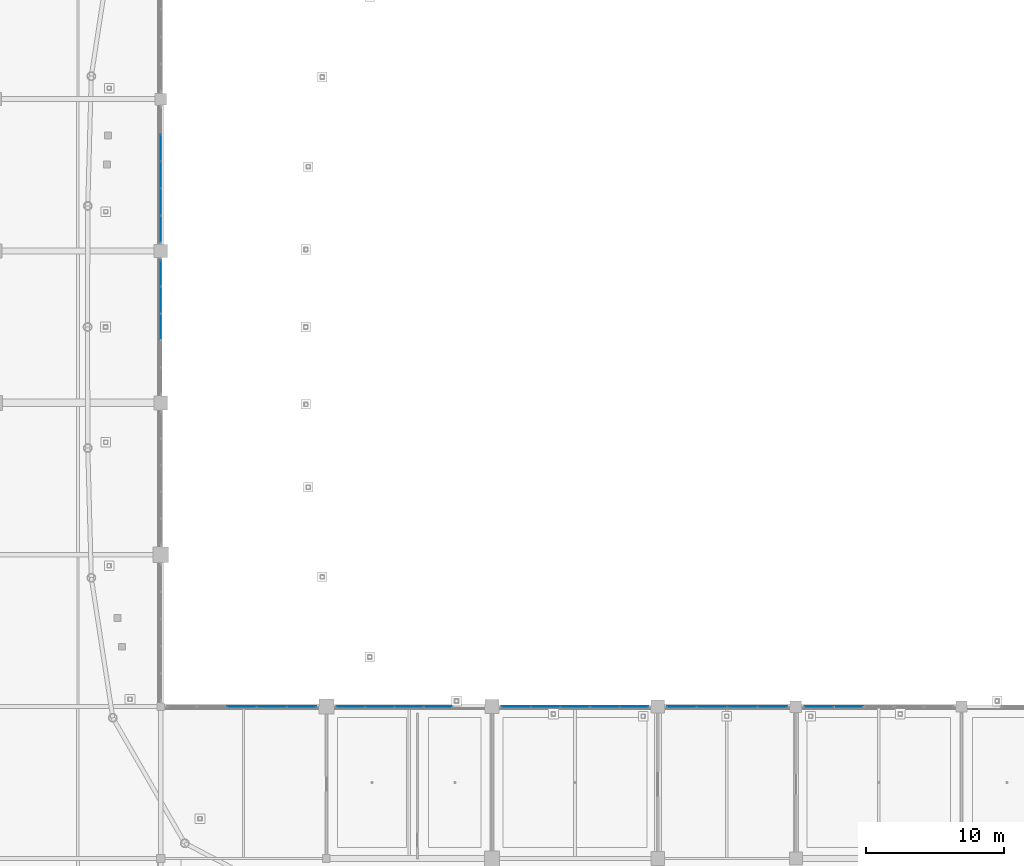
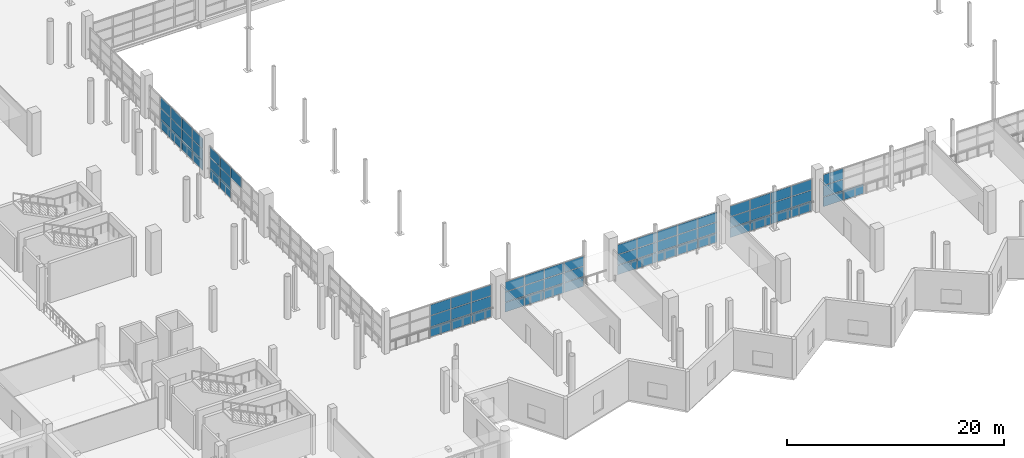
# One storey, part 75 of 143: 71 plates, 7 elements without a shape of their own.
"""IFC4 building model written with IfcOpenShell, lengths in metres."""

from ifc_helpers import new_model, si_unit, direction, frame, origin, origin_2d, place, context, subcontext, project, spatial, rectangle, extrude, material, layer, layer_set, type_object, element, aggregate, save


model = new_model("IFC4")

# Units and contexts
model_context = context("Model", 3, precision=1e-05, world=origin(), true_north=direction((0.0, 1.0)))
body_context = subcontext(model_context, "Body", "Model", "MODEL_VIEW")
ifc_project = project(units=[si_unit("LENGTHUNIT", "METRE"), si_unit("AREAUNIT", "SQUARE_METRE"), si_unit("VOLUMEUNIT", "CUBIC_METRE"), si_unit("PLANEANGLEUNIT", "RADIAN"), si_unit("MASSUNIT", "GRAM", prefix="KILO")], contexts=[model_context])

# Site, building, storey
site_placement = place(None, origin())
site = spatial("IfcSite", under=ifc_project, at=site_placement, CompositionType="ELEMENT")
building_placement = place(site_placement, origin())
building = spatial("IfcBuilding", under=site, at=building_placement, Name="Luwafu Chhajja Arena", CompositionType="ELEMENT")
storey_placement = place(building_placement, frame((0.0, 0.0, 5.39990234375)))
storey = spatial("IfcBuildingStorey", under=building, at=storey_placement, Name="L01", CompositionType="ELEMENT", Elevation=5.39990234375)

# Curtain wall, plates
ifc_material_1 = material(Name="Anodised bronze aluminium", Category="aluminium")
curtain_wall_type = type_object("IfcCurtainWallType", Name="Bowl Concourse Chord Curtain Wall", PredefinedType="USERDEFINED", material=ifc_material_1)
curtain_wall_1_placement = place(storey_placement, origin())
curtain_wall_1 = element("IfcCurtainWall", 1, at=curtain_wall_1_placement, inside=storey, type_object=curtain_wall_type, Name="L01 Bowl Viewing Curtain Wall CWR-L01-01", ObjectType="CURTAIN WALL", PredefinedType="USERDEFINED")
ifc_material_2 = material(Name="Solar-control laminated glass", Category="glass")
ifc_layer = layer(ifc_material_2, 0.028076171875, Name="Solar-control laminated glass")
ifc_layer_set = layer_set([ifc_layer], Name="Solar-control laminated glass")
plate_type = type_object("IfcPlateType", Name="Solar Control Double Glazed CW Panel 28", PredefinedType="CURTAIN_PANEL", material=ifc_layer_set)
plate_1_placement = place(storey_placement, frame((63.862548828125, 22.0, 0.06005859375), z_axis=(0.0, 0.0, 1.0), x_axis=(1.0, 0.0, 0.0)))
plate_1 = element("IfcPlate", 2, at=plate_1_placement, type_object=plate_type, Name="CW-01 panel 3.1", PredefinedType="CURTAIN_PANEL", context=body_context, shape_type="SweptSolid", body=[
    extrude(rectangle(XDim=2.118896484375, YDim=0.028076171875, at=origin_2d()), origin(), (0.0, 0.0, 1.0), 1.06005859375),
])
plate_2_placement = place(storey_placement, frame((63.862548828125, 22.0, 1.18017578125), z_axis=(0.0, 0.0, 1.0), x_axis=(1.0, 0.0, 0.0)))
plate_2 = element("IfcPlate", 3, at=plate_2_placement, type_object=plate_type, Name="CW-01 panel 3.2", PredefinedType="CURTAIN_PANEL", context=body_context, shape_type="SweptSolid", body=[
    extrude(rectangle(XDim=2.118896484375, YDim=0.028076171875, at=origin_2d()), origin(), (0.0, 0.0, 1.0), 1.21826171875),
])
plate_3_placement = place(storey_placement, frame((63.862548828125, 22.0, 2.45849609375), z_axis=(0.0, 0.0, 1.0), x_axis=(1.0, 0.0, 0.0)))
plate_3 = element("IfcPlate", 4, at=plate_3_placement, type_object=plate_type, Name="CW-01 panel 3.3", PredefinedType="CURTAIN_PANEL", context=body_context, shape_type="SweptSolid", body=[
    extrude(rectangle(XDim=2.118896484375, YDim=0.028076171875, at=origin_2d()), origin(), (0.0, 0.0, 1.0), 1.188232421875),
])
plate_4_placement = place(storey_placement, frame((66.04150390625, 22.0, 0.06005859375), z_axis=(0.0, 0.0, 1.0), x_axis=(1.0, 0.0, 0.0)))
plate_4 = element("IfcPlate", 5, at=plate_4_placement, type_object=plate_type, Name="CW-01 panel 4.1", PredefinedType="CURTAIN_PANEL", context=body_context, shape_type="SweptSolid", body=[
    extrude(rectangle(XDim=2.118896484375, YDim=0.028076171875, at=origin_2d()), origin(), (0.0, 0.0, 1.0), 1.06005859375),
])
plate_5_placement = place(storey_placement, frame((66.04150390625, 22.0, 1.18017578125), z_axis=(0.0, 0.0, 1.0), x_axis=(1.0, 0.0, 0.0)))
plate_5 = element("IfcPlate", 6, at=plate_5_placement, type_object=plate_type, Name="CW-01 panel 4.2", PredefinedType="CURTAIN_PANEL", context=body_context, shape_type="SweptSolid", body=[
    extrude(rectangle(XDim=2.118896484375, YDim=0.028076171875, at=origin_2d()), origin(), (0.0, 0.0, 1.0), 1.21826171875),
])
plate_6_placement = place(storey_placement, frame((66.04150390625, 22.0, 2.45849609375), z_axis=(0.0, 0.0, 1.0), x_axis=(1.0, 0.0, 0.0)))
plate_6 = element("IfcPlate", 7, at=plate_6_placement, type_object=plate_type, Name="CW-01 panel 4.3", PredefinedType="CURTAIN_PANEL", context=body_context, shape_type="SweptSolid", body=[
    extrude(rectangle(XDim=2.118896484375, YDim=0.028076171875, at=origin_2d()), origin(), (0.0, 0.0, 1.0), 1.188232421875),
])
plate_7_placement = place(storey_placement, frame((68.20556640625, 22.0, 0.06005859375), z_axis=(0.0, 0.0, 1.0), x_axis=(1.0, 0.0, 0.0)))
plate_7 = element("IfcPlate", 8, at=plate_7_placement, type_object=plate_type, Name="CW-01 panel 5.1", PredefinedType="CURTAIN_PANEL", context=body_context, shape_type="SweptSolid", body=[
    extrude(rectangle(XDim=2.089111328125, YDim=0.028076171875, at=origin_2d()), origin(), (0.0, 0.0, 1.0), 1.06005859375),
])
plate_8_placement = place(storey_placement, frame((68.20556640625, 22.0, 1.18017578125), z_axis=(0.0, 0.0, 1.0), x_axis=(1.0, 0.0, 0.0)))
plate_8 = element("IfcPlate", 9, at=plate_8_placement, type_object=plate_type, Name="CW-01 panel 5.2", PredefinedType="CURTAIN_PANEL", context=body_context, shape_type="SweptSolid", body=[
    extrude(rectangle(XDim=2.089111328125, YDim=0.028076171875, at=origin_2d()), origin(), (0.0, 0.0, 1.0), 1.21826171875),
])
plate_9_placement = place(storey_placement, frame((68.20556640625, 22.0, 2.45849609375), z_axis=(0.0, 0.0, 1.0), x_axis=(1.0, 0.0, 0.0)))
plate_9 = element("IfcPlate", 10, at=plate_9_placement, type_object=plate_type, Name="CW-01 panel 5.3", PredefinedType="CURTAIN_PANEL", context=body_context, shape_type="SweptSolid", body=[
    extrude(rectangle(XDim=2.089111328125, YDim=0.028076171875, at=origin_2d()), origin(), (0.0, 0.0, 1.0), 1.188232421875),
])
aggregate(curtain_wall_1, [plate_1, plate_2, plate_3, plate_4, plate_5, plate_6, plate_7, plate_8, plate_9])

curtain_wall_2_placement = place(storey_placement, origin())
curtain_wall_2 = element("IfcCurtainWall", 11, at=curtain_wall_2_placement, inside=storey, type_object=curtain_wall_type, Name="L01 Bowl Viewing Curtain Wall CWR-L01-02", ObjectType="CURTAIN WALL", PredefinedType="USERDEFINED")
plate_10_placement = place(storey_placement, frame((71.760498046875, 22.0, 0.06005859375), z_axis=(0.0, 0.0, 1.0), x_axis=(1.0, 0.0, 0.0)))
plate_10 = element("IfcPlate", 12, at=plate_10_placement, type_object=plate_type, Name="CW-01 panel 1.1", PredefinedType="CURTAIN_PANEL", context=body_context, shape_type="SweptSolid", body=[
    extrude(rectangle(XDim=2.020751953125, YDim=0.028076171875, at=origin_2d()), origin(), (0.0, 0.0, 1.0), 1.06005859375),
])
plate_11_placement = place(storey_placement, frame((71.760498046875, 22.0, 1.18017578125), z_axis=(0.0, 0.0, 1.0), x_axis=(1.0, 0.0, 0.0)))
plate_11 = element("IfcPlate", 13, at=plate_11_placement, type_object=plate_type, Name="CW-01 panel 1.2", PredefinedType="CURTAIN_PANEL", context=body_context, shape_type="SweptSolid", body=[
    extrude(rectangle(XDim=2.020751953125, YDim=0.028076171875, at=origin_2d()), origin(), (0.0, 0.0, 1.0), 1.110107421875),
])
plate_12_placement = place(storey_placement, frame((71.760498046875, 22.0, 2.35009765625), z_axis=(0.0, 0.0, 1.0), x_axis=(1.0, 0.0, 0.0)))
plate_12 = element("IfcPlate", 14, at=plate_12_placement, type_object=plate_type, Name="CW-01 panel 1.3", PredefinedType="CURTAIN_PANEL", context=body_context, shape_type="SweptSolid", body=[
    extrude(rectangle(XDim=2.020751953125, YDim=0.028076171875, at=origin_2d()), origin(), (0.0, 0.0, 1.0), 1.080078125),
])
plate_13_placement = place(storey_placement, frame((73.856201171875, 22.0, 0.06005859375), z_axis=(0.0, 0.0, 1.0), x_axis=(1.0, 0.0, 0.0)))
plate_13 = element("IfcPlate", 15, at=plate_13_placement, type_object=plate_type, Name="CW-01 panel 2.1", PredefinedType="CURTAIN_PANEL", context=body_context, shape_type="SweptSolid", body=[
    extrude(rectangle(XDim=2.05078125, YDim=0.028076171875, at=origin_2d()), origin(), (0.0, 0.0, 1.0), 1.06005859375),
])
plate_14_placement = place(storey_placement, frame((73.856201171875, 22.0, 1.18017578125), z_axis=(0.0, 0.0, 1.0), x_axis=(1.0, 0.0, 0.0)))
plate_14 = element("IfcPlate", 16, at=plate_14_placement, type_object=plate_type, Name="CW-01 panel 2.2", PredefinedType="CURTAIN_PANEL", context=body_context, shape_type="SweptSolid", body=[
    extrude(rectangle(XDim=2.05078125, YDim=0.028076171875, at=origin_2d()), origin(), (0.0, 0.0, 1.0), 1.110107421875),
])
plate_15_placement = place(storey_placement, frame((73.856201171875, 22.0, 2.35009765625), z_axis=(0.0, 0.0, 1.0), x_axis=(1.0, 0.0, 0.0)))
plate_15 = element("IfcPlate", 17, at=plate_15_placement, type_object=plate_type, Name="CW-01 panel 2.3", PredefinedType="CURTAIN_PANEL", context=body_context, shape_type="SweptSolid", body=[
    extrude(rectangle(XDim=2.05078125, YDim=0.028076171875, at=origin_2d()), origin(), (0.0, 0.0, 1.0), 1.080078125),
])
plate_16_placement = place(storey_placement, frame((75.967041015625, 22.0, 0.06005859375), z_axis=(0.0, 0.0, 1.0), x_axis=(1.0, 0.0, 0.0)))
plate_16 = element("IfcPlate", 18, at=plate_16_placement, type_object=plate_type, Name="CW-01 panel 3.1", PredefinedType="CURTAIN_PANEL", context=body_context, shape_type="SweptSolid", body=[
    extrude(rectangle(XDim=2.05078125, YDim=0.028076171875, at=origin_2d()), origin(), (0.0, 0.0, 1.0), 1.06005859375),
])
plate_17_placement = place(storey_placement, frame((75.967041015625, 22.0, 1.18017578125), z_axis=(0.0, 0.0, 1.0), x_axis=(1.0, 0.0, 0.0)))
plate_17 = element("IfcPlate", 19, at=plate_17_placement, type_object=plate_type, Name="CW-01 panel 3.2", PredefinedType="CURTAIN_PANEL", context=body_context, shape_type="SweptSolid", body=[
    extrude(rectangle(XDim=2.05078125, YDim=0.028076171875, at=origin_2d()), origin(), (0.0, 0.0, 1.0), 1.110107421875),
])
plate_18_placement = place(storey_placement, frame((75.967041015625, 22.0, 2.35009765625), z_axis=(0.0, 0.0, 1.0), x_axis=(1.0, 0.0, 0.0)))
plate_18 = element("IfcPlate", 20, at=plate_18_placement, type_object=plate_type, Name="CW-01 panel 3.3", PredefinedType="CURTAIN_PANEL", context=body_context, shape_type="SweptSolid", body=[
    extrude(rectangle(XDim=2.05078125, YDim=0.028076171875, at=origin_2d()), origin(), (0.0, 0.0, 1.0), 1.080078125),
])
plate_19_placement = place(storey_placement, frame((78.06298828125, 22.0, 0.06005859375), z_axis=(0.0, 0.0, 1.0), x_axis=(1.0, 0.0, 0.0)))
plate_19 = element("IfcPlate", 21, at=plate_19_placement, type_object=plate_type, Name="CW-01 panel 4.1", PredefinedType="CURTAIN_PANEL", context=body_context, shape_type="SweptSolid", body=[
    extrude(rectangle(XDim=2.020751953125, YDim=0.028076171875, at=origin_2d()), origin(), (0.0, 0.0, 1.0), 1.06005859375),
])
plate_20_placement = place(storey_placement, frame((78.06298828125, 22.0, 1.18017578125), z_axis=(0.0, 0.0, 1.0), x_axis=(1.0, 0.0, 0.0)))
plate_20 = element("IfcPlate", 22, at=plate_20_placement, type_object=plate_type, Name="CW-01 panel 4.2", PredefinedType="CURTAIN_PANEL", context=body_context, shape_type="SweptSolid", body=[
    extrude(rectangle(XDim=2.020751953125, YDim=0.028076171875, at=origin_2d()), origin(), (0.0, 0.0, 1.0), 1.110107421875),
])
plate_21_placement = place(storey_placement, frame((78.06298828125, 22.0, 2.35009765625), z_axis=(0.0, 0.0, 1.0), x_axis=(1.0, 0.0, 0.0)))
plate_21 = element("IfcPlate", 23, at=plate_21_placement, type_object=plate_type, Name="CW-01 panel 4.3", PredefinedType="CURTAIN_PANEL", context=body_context, shape_type="SweptSolid", body=[
    extrude(rectangle(XDim=2.020751953125, YDim=0.028076171875, at=origin_2d()), origin(), (0.0, 0.0, 1.0), 1.080078125),
])
aggregate(curtain_wall_2, [plate_10, plate_11, plate_12, plate_13, plate_14, plate_15, plate_16, plate_17, plate_18, plate_19, plate_20, plate_21])

curtain_wall_3_placement = place(storey_placement, origin())
curtain_wall_3 = element("IfcCurtainWall", 24, at=curtain_wall_3_placement, inside=storey, type_object=curtain_wall_type, Name="L01 Bowl Viewing Curtain Wall CWR-L01-03", ObjectType="CURTAIN WALL", PredefinedType="USERDEFINED")
plate_22_placement = place(storey_placement, frame((83.7294921875, 22.0, 0.06005859375), z_axis=(0.0, 0.0, 1.0), x_axis=(1.0, 0.0, 0.0)))
plate_22 = element("IfcPlate", 25, at=plate_22_placement, type_object=plate_type, Name="CW-01 panel 1.1", PredefinedType="CURTAIN_PANEL", context=body_context, shape_type="SweptSolid", body=[
    extrude(rectangle(XDim=2.05908203125, YDim=0.028076171875, at=origin_2d()), origin(), (0.0, 0.0, 1.0), 1.06005859375),
])
plate_23_placement = place(storey_placement, frame((83.7294921875, 22.0, 1.18017578125), z_axis=(0.0, 0.0, 1.0), x_axis=(1.0, 0.0, 0.0)))
plate_23 = element("IfcPlate", 26, at=plate_23_placement, type_object=plate_type, Name="CW-01 panel 1.2", PredefinedType="CURTAIN_PANEL", context=body_context, shape_type="SweptSolid", body=[
    extrude(rectangle(XDim=2.05908203125, YDim=0.028076171875, at=origin_2d()), origin(), (0.0, 0.0, 1.0), 1.110107421875),
])
plate_24_placement = place(storey_placement, frame((83.7294921875, 22.0, 2.35009765625), z_axis=(0.0, 0.0, 1.0), x_axis=(1.0, 0.0, 0.0)))
plate_24 = element("IfcPlate", 27, at=plate_24_placement, type_object=plate_type, Name="CW-01 panel 1.3", PredefinedType="CURTAIN_PANEL", context=body_context, shape_type="SweptSolid", body=[
    extrude(rectangle(XDim=2.05908203125, YDim=0.028076171875, at=origin_2d()), origin(), (0.0, 0.0, 1.0), 1.080078125),
])
plate_25_placement = place(storey_placement, frame((85.863525390625, 22.0, 0.06005859375), z_axis=(0.0, 0.0, 1.0), x_axis=(1.0, 0.0, 0.0)))
plate_25 = element("IfcPlate", 28, at=plate_25_placement, type_object=plate_type, Name="CW-01 panel 2.1", PredefinedType="CURTAIN_PANEL", context=body_context, shape_type="SweptSolid", body=[
    extrude(rectangle(XDim=2.089111328125, YDim=0.028076171875, at=origin_2d()), origin(), (0.0, 0.0, 1.0), 1.06005859375),
])
plate_26_placement = place(storey_placement, frame((85.863525390625, 22.0, 1.18017578125), z_axis=(0.0, 0.0, 1.0), x_axis=(1.0, 0.0, 0.0)))
plate_26 = element("IfcPlate", 29, at=plate_26_placement, type_object=plate_type, Name="CW-01 panel 2.2", PredefinedType="CURTAIN_PANEL", context=body_context, shape_type="SweptSolid", body=[
    extrude(rectangle(XDim=2.089111328125, YDim=0.028076171875, at=origin_2d()), origin(), (0.0, 0.0, 1.0), 1.110107421875),
])
plate_27_placement = place(storey_placement, frame((85.863525390625, 22.0, 2.35009765625), z_axis=(0.0, 0.0, 1.0), x_axis=(1.0, 0.0, 0.0)))
plate_27 = element("IfcPlate", 30, at=plate_27_placement, type_object=plate_type, Name="CW-01 panel 2.3", PredefinedType="CURTAIN_PANEL", context=body_context, shape_type="SweptSolid", body=[
    extrude(rectangle(XDim=2.089111328125, YDim=0.028076171875, at=origin_2d()), origin(), (0.0, 0.0, 1.0), 1.080078125),
])
plate_28_placement = place(storey_placement, frame((88.012451171875, 22.0, 0.06005859375), z_axis=(0.0, 0.0, 1.0), x_axis=(1.0, 0.0, 0.0)))
plate_28 = element("IfcPlate", 31, at=plate_28_placement, type_object=plate_type, Name="CW-01 panel 3.1", PredefinedType="CURTAIN_PANEL", context=body_context, shape_type="SweptSolid", body=[
    extrude(rectangle(XDim=2.089111328125, YDim=0.028076171875, at=origin_2d()), origin(), (0.0, 0.0, 1.0), 1.06005859375),
])
plate_29_placement = place(storey_placement, frame((88.012451171875, 22.0, 1.18017578125), z_axis=(0.0, 0.0, 1.0), x_axis=(1.0, 0.0, 0.0)))
plate_29 = element("IfcPlate", 32, at=plate_29_placement, type_object=plate_type, Name="CW-01 panel 3.2", PredefinedType="CURTAIN_PANEL", context=body_context, shape_type="SweptSolid", body=[
    extrude(rectangle(XDim=2.089111328125, YDim=0.028076171875, at=origin_2d()), origin(), (0.0, 0.0, 1.0), 1.110107421875),
])
plate_30_placement = place(storey_placement, frame((88.012451171875, 22.0, 2.35009765625), z_axis=(0.0, 0.0, 1.0), x_axis=(1.0, 0.0, 0.0)))
plate_30 = element("IfcPlate", 33, at=plate_30_placement, type_object=plate_type, Name="CW-01 panel 3.3", PredefinedType="CURTAIN_PANEL", context=body_context, shape_type="SweptSolid", body=[
    extrude(rectangle(XDim=2.089111328125, YDim=0.028076171875, at=origin_2d()), origin(), (0.0, 0.0, 1.0), 1.080078125),
])
plate_31_placement = place(storey_placement, frame((90.16162109375, 22.0, 0.06005859375), z_axis=(0.0, 0.0, 1.0), x_axis=(1.0, 0.0, 0.0)))
plate_31 = element("IfcPlate", 34, at=plate_31_placement, type_object=plate_type, Name="CW-01 panel 4.1", PredefinedType="CURTAIN_PANEL", context=body_context, shape_type="SweptSolid", body=[
    extrude(rectangle(XDim=2.089111328125, YDim=0.028076171875, at=origin_2d()), origin(), (0.0, 0.0, 1.0), 1.06005859375),
])
plate_32_placement = place(storey_placement, frame((90.16162109375, 22.0, 1.18017578125), z_axis=(0.0, 0.0, 1.0), x_axis=(1.0, 0.0, 0.0)))
plate_32 = element("IfcPlate", 35, at=plate_32_placement, type_object=plate_type, Name="CW-01 panel 4.2", PredefinedType="CURTAIN_PANEL", context=body_context, shape_type="SweptSolid", body=[
    extrude(rectangle(XDim=2.089111328125, YDim=0.028076171875, at=origin_2d()), origin(), (0.0, 0.0, 1.0), 1.110107421875),
])
plate_33_placement = place(storey_placement, frame((90.16162109375, 22.0, 2.35009765625), z_axis=(0.0, 0.0, 1.0), x_axis=(1.0, 0.0, 0.0)))
plate_33 = element("IfcPlate", 36, at=plate_33_placement, type_object=plate_type, Name="CW-01 panel 4.3", PredefinedType="CURTAIN_PANEL", context=body_context, shape_type="SweptSolid", body=[
    extrude(rectangle(XDim=2.089111328125, YDim=0.028076171875, at=origin_2d()), origin(), (0.0, 0.0, 1.0), 1.080078125),
])
plate_34_placement = place(storey_placement, frame((92.29541015625, 22.0, 0.06005859375), z_axis=(0.0, 0.0, 1.0), x_axis=(1.0, 0.0, 0.0)))
plate_34 = element("IfcPlate", 37, at=plate_34_placement, type_object=plate_type, Name="CW-01 panel 5.1", PredefinedType="CURTAIN_PANEL", context=body_context, shape_type="SweptSolid", body=[
    extrude(rectangle(XDim=2.05908203125, YDim=0.028076171875, at=origin_2d()), origin(), (0.0, 0.0, 1.0), 1.06005859375),
])
plate_35_placement = place(storey_placement, frame((92.29541015625, 22.0, 1.18017578125), z_axis=(0.0, 0.0, 1.0), x_axis=(1.0, 0.0, 0.0)))
plate_35 = element("IfcPlate", 38, at=plate_35_placement, type_object=plate_type, Name="CW-01 panel 5.2", PredefinedType="CURTAIN_PANEL", context=body_context, shape_type="SweptSolid", body=[
    extrude(rectangle(XDim=2.05908203125, YDim=0.028076171875, at=origin_2d()), origin(), (0.0, 0.0, 1.0), 1.110107421875),
])
plate_36_placement = place(storey_placement, frame((92.29541015625, 22.0, 2.35009765625), z_axis=(0.0, 0.0, 1.0), x_axis=(1.0, 0.0, 0.0)))
plate_36 = element("IfcPlate", 39, at=plate_36_placement, type_object=plate_type, Name="CW-01 panel 5.3", PredefinedType="CURTAIN_PANEL", context=body_context, shape_type="SweptSolid", body=[
    extrude(rectangle(XDim=2.05908203125, YDim=0.028076171875, at=origin_2d()), origin(), (0.0, 0.0, 1.0), 1.080078125),
])
aggregate(curtain_wall_3, [plate_22, plate_23, plate_24, plate_25, plate_26, plate_27, plate_28, plate_29, plate_30, plate_31, plate_32, plate_33, plate_34, plate_35, plate_36])

curtain_wall_4_placement = place(storey_placement, origin())
curtain_wall_4 = element("IfcCurtainWall", 40, at=curtain_wall_4_placement, inside=storey, type_object=curtain_wall_type, Name="L01 Bowl Viewing Curtain Wall CWR-L01-04", ObjectType="CURTAIN WALL", PredefinedType="USERDEFINED")
plate_37_placement = place(storey_placement, frame((95.732421875, 22.0, 0.06005859375), z_axis=(0.0, 0.0, 1.0), x_axis=(1.0, 0.0, 0.0)))
plate_37 = element("IfcPlate", 41, at=plate_37_placement, type_object=plate_type, Name="CW-01 panel 1.1", PredefinedType="CURTAIN_PANEL", context=body_context, shape_type="SweptSolid", body=[
    extrude(rectangle(XDim=2.114990234375, YDim=0.028076171875, at=origin_2d()), origin(), (0.0, 0.0, 1.0), 1.06005859375),
])
plate_38_placement = place(storey_placement, frame((95.732421875, 22.0, 1.18017578125), z_axis=(0.0, 0.0, 1.0), x_axis=(1.0, 0.0, 0.0)))
plate_38 = element("IfcPlate", 42, at=plate_38_placement, type_object=plate_type, Name="CW-01 panel 1.2", PredefinedType="CURTAIN_PANEL", context=body_context, shape_type="SweptSolid", body=[
    extrude(rectangle(XDim=2.114990234375, YDim=0.028076171875, at=origin_2d()), origin(), (0.0, 0.0, 1.0), 1.18505859375),
])
plate_39_placement = place(storey_placement, frame((95.732421875, 22.0, 2.42529296875), z_axis=(0.0, 0.0, 1.0), x_axis=(1.0, 0.0, 0.0)))
plate_39 = element("IfcPlate", 43, at=plate_39_placement, type_object=plate_type, Name="CW-01 panel 1.3", PredefinedType="CURTAIN_PANEL", context=body_context, shape_type="SweptSolid", body=[
    extrude(rectangle(XDim=2.114990234375, YDim=0.028076171875, at=origin_2d()), origin(), (0.0, 0.0, 1.0), 1.155029296875),
])
plate_40_placement = place(storey_placement, frame((97.922607421875, 22.0, 0.06005859375), z_axis=(0.0, 0.0, 1.0), x_axis=(1.0, 0.0, 0.0)))
plate_40 = element("IfcPlate", 44, at=plate_40_placement, type_object=plate_type, Name="CW-01 panel 2.1", PredefinedType="CURTAIN_PANEL", context=body_context, shape_type="SweptSolid", body=[
    extrude(rectangle(XDim=2.14501953125, YDim=0.028076171875, at=origin_2d()), origin(), (0.0, 0.0, 1.0), 1.06005859375),
])
plate_41_placement = place(storey_placement, frame((97.922607421875, 22.0, 1.18017578125), z_axis=(0.0, 0.0, 1.0), x_axis=(1.0, 0.0, 0.0)))
plate_41 = element("IfcPlate", 45, at=plate_41_placement, type_object=plate_type, Name="CW-01 panel 2.2", PredefinedType="CURTAIN_PANEL", context=body_context, shape_type="SweptSolid", body=[
    extrude(rectangle(XDim=2.14501953125, YDim=0.028076171875, at=origin_2d()), origin(), (0.0, 0.0, 1.0), 1.18505859375),
])
plate_42_placement = place(storey_placement, frame((97.922607421875, 22.0, 2.42529296875), z_axis=(0.0, 0.0, 1.0), x_axis=(1.0, 0.0, 0.0)))
plate_42 = element("IfcPlate", 46, at=plate_42_placement, type_object=plate_type, Name="CW-01 panel 2.3", PredefinedType="CURTAIN_PANEL", context=body_context, shape_type="SweptSolid", body=[
    extrude(rectangle(XDim=2.14501953125, YDim=0.028076171875, at=origin_2d()), origin(), (0.0, 0.0, 1.0), 1.155029296875),
])
plate_43_placement = place(storey_placement, frame((100.12744140625, 22.0, 0.06005859375), z_axis=(0.0, 0.0, 1.0), x_axis=(1.0, 0.0, 0.0)))
plate_43 = element("IfcPlate", 47, at=plate_43_placement, type_object=plate_type, Name="CW-01 panel 3.1", PredefinedType="CURTAIN_PANEL", context=body_context, shape_type="SweptSolid", body=[
    extrude(rectangle(XDim=2.14501953125, YDim=0.028076171875, at=origin_2d()), origin(), (0.0, 0.0, 1.0), 1.06005859375),
])
plate_44_placement = place(storey_placement, frame((100.12744140625, 22.0, 1.18017578125), z_axis=(0.0, 0.0, 1.0), x_axis=(1.0, 0.0, 0.0)))
plate_44 = element("IfcPlate", 48, at=plate_44_placement, type_object=plate_type, Name="CW-01 panel 3.2", PredefinedType="CURTAIN_PANEL", context=body_context, shape_type="SweptSolid", body=[
    extrude(rectangle(XDim=2.14501953125, YDim=0.028076171875, at=origin_2d()), origin(), (0.0, 0.0, 1.0), 1.18505859375),
])
plate_45_placement = place(storey_placement, frame((100.12744140625, 22.0, 2.42529296875), z_axis=(0.0, 0.0, 1.0), x_axis=(1.0, 0.0, 0.0)))
plate_45 = element("IfcPlate", 49, at=plate_45_placement, type_object=plate_type, Name="CW-01 panel 3.3", PredefinedType="CURTAIN_PANEL", context=body_context, shape_type="SweptSolid", body=[
    extrude(rectangle(XDim=2.14501953125, YDim=0.028076171875, at=origin_2d()), origin(), (0.0, 0.0, 1.0), 1.155029296875),
])
plate_46_placement = place(storey_placement, frame((102.3173828125, 22.0, 0.06005859375), z_axis=(0.0, 0.0, 1.0), x_axis=(1.0, 0.0, 0.0)))
plate_46 = element("IfcPlate", 50, at=plate_46_placement, type_object=plate_type, Name="CW-01 panel 4.1", PredefinedType="CURTAIN_PANEL", context=body_context, shape_type="SweptSolid", body=[
    extrude(rectangle(XDim=2.114990234375, YDim=0.028076171875, at=origin_2d()), origin(), (0.0, 0.0, 1.0), 1.06005859375),
])
plate_47_placement = place(storey_placement, frame((102.3173828125, 22.0, 1.18017578125), z_axis=(0.0, 0.0, 1.0), x_axis=(1.0, 0.0, 0.0)))
plate_47 = element("IfcPlate", 51, at=plate_47_placement, type_object=plate_type, Name="CW-01 panel 4.2", PredefinedType="CURTAIN_PANEL", context=body_context, shape_type="SweptSolid", body=[
    extrude(rectangle(XDim=2.114990234375, YDim=0.028076171875, at=origin_2d()), origin(), (0.0, 0.0, 1.0), 1.18505859375),
])
plate_48_placement = place(storey_placement, frame((102.3173828125, 22.0, 2.42529296875), z_axis=(0.0, 0.0, 1.0), x_axis=(1.0, 0.0, 0.0)))
plate_48 = element("IfcPlate", 52, at=plate_48_placement, type_object=plate_type, Name="CW-01 panel 4.3", PredefinedType="CURTAIN_PANEL", context=body_context, shape_type="SweptSolid", body=[
    extrude(rectangle(XDim=2.114990234375, YDim=0.028076171875, at=origin_2d()), origin(), (0.0, 0.0, 1.0), 1.155029296875),
])
aggregate(curtain_wall_4, [plate_37, plate_38, plate_39, plate_40, plate_41, plate_42, plate_43, plate_44, plate_45, plate_46, plate_47, plate_48])

curtain_wall_5_placement = place(storey_placement, origin())
curtain_wall_5 = element("IfcCurtainWall", 53, at=curtain_wall_5_placement, inside=storey, type_object=curtain_wall_type, Name="L01 Bowl Viewing Curtain Wall CWR-L01-05", ObjectType="CURTAIN WALL", PredefinedType="USERDEFINED")
plate_49_placement = place(storey_placement, frame((105.66943359375, 22.0, 0.06005859375), z_axis=(0.0, 0.0, 1.0), x_axis=(1.0, 0.0, 0.0)))
plate_49 = element("IfcPlate", 54, at=plate_49_placement, type_object=plate_type, Name="CW-01 panel 1.1", PredefinedType="CURTAIN_PANEL", context=body_context, shape_type="SweptSolid", body=[
    extrude(rectangle(XDim=2.089111328125, YDim=0.028076171875, at=origin_2d()), origin(), (0.0, 0.0, 1.0), 1.06005859375),
])
plate_50_placement = place(storey_placement, frame((105.66943359375, 22.0, 1.18017578125), z_axis=(0.0, 0.0, 1.0), x_axis=(1.0, 0.0, 0.0)))
plate_50 = element("IfcPlate", 55, at=plate_50_placement, type_object=plate_type, Name="CW-01 panel 1.2", PredefinedType="CURTAIN_PANEL", context=body_context, shape_type="SweptSolid", body=[
    extrude(rectangle(XDim=2.089111328125, YDim=0.028076171875, at=origin_2d()), origin(), (0.0, 0.0, 1.0), 1.21826171875),
])
plate_51_placement = place(storey_placement, frame((105.66943359375, 22.0, 2.45849609375), z_axis=(0.0, 0.0, 1.0), x_axis=(1.0, 0.0, 0.0)))
plate_51 = element("IfcPlate", 56, at=plate_51_placement, type_object=plate_type, Name="CW-01 panel 1.3", PredefinedType="CURTAIN_PANEL", context=body_context, shape_type="SweptSolid", body=[
    extrude(rectangle(XDim=2.089111328125, YDim=0.028076171875, at=origin_2d()), origin(), (0.0, 0.0, 1.0), 1.188232421875),
])
plate_52_placement = place(storey_placement, frame((107.83349609375, 22.0, 0.06005859375), z_axis=(0.0, 0.0, 1.0), x_axis=(1.0, 0.0, 0.0)))
plate_52 = element("IfcPlate", 57, at=plate_52_placement, type_object=plate_type, Name="CW-01 panel 2.1", PredefinedType="CURTAIN_PANEL", context=body_context, shape_type="SweptSolid", body=[
    extrude(rectangle(XDim=2.118896484375, YDim=0.028076171875, at=origin_2d()), origin(), (0.0, 0.0, 1.0), 1.06005859375),
])
aggregate(curtain_wall_5, [plate_49, plate_50, plate_51, plate_52])

curtain_wall_6_placement = place(storey_placement, origin())
curtain_wall_6 = element("IfcCurtainWall", 58, at=curtain_wall_6_placement, inside=storey, type_object=curtain_wall_type, Name="L01 Bowl Viewing Curtain Wall CWR-L01-17", ObjectType="CURTAIN WALL", PredefinedType="USERDEFINED")
plate_53_placement = place(storey_placement, frame((58.0, 49.512451171875, 2.400146484375), z_axis=(0.0, 0.0, 1.0), x_axis=(0.0, 1.0, 0.0)))
plate_53 = element("IfcPlate", 59, at=plate_53_placement, type_object=plate_type, Name="CW-01 panel 3.3", PredefinedType="CURTAIN_PANEL", context=body_context, shape_type="SweptSolid", body=[
    extrude(rectangle(XDim=1.888916015625, YDim=0.028076171875, at=origin_2d()), origin(), (0.0, 0.0, 1.0), 1.1298828125),
])
plate_54_placement = place(storey_placement, frame((58.0, 51.46142578125, 0.06005859375), z_axis=(0.0, 0.0, 1.0), x_axis=(0.0, 1.0, 0.0)))
plate_54 = element("IfcPlate", 60, at=plate_54_placement, type_object=plate_type, Name="CW-01 panel 4.1", PredefinedType="CURTAIN_PANEL", context=body_context, shape_type="SweptSolid", body=[
    extrude(rectangle(XDim=1.888916015625, YDim=0.028076171875, at=origin_2d()), origin(), (0.0, 0.0, 1.0), 1.06005859375),
])
plate_55_placement = place(storey_placement, frame((58.0, 51.46142578125, 1.18017578125), z_axis=(0.0, 0.0, 1.0), x_axis=(0.0, 1.0, 0.0)))
plate_55 = element("IfcPlate", 61, at=plate_55_placement, type_object=plate_type, Name="CW-01 panel 4.2", PredefinedType="CURTAIN_PANEL", context=body_context, shape_type="SweptSolid", body=[
    extrude(rectangle(XDim=1.888916015625, YDim=0.028076171875, at=origin_2d()), origin(), (0.0, 0.0, 1.0), 1.159912109375),
])
plate_56_placement = place(storey_placement, frame((58.0, 51.46142578125, 2.400146484375), z_axis=(0.0, 0.0, 1.0), x_axis=(0.0, 1.0, 0.0)))
plate_56 = element("IfcPlate", 62, at=plate_56_placement, type_object=plate_type, Name="CW-01 panel 4.3", PredefinedType="CURTAIN_PANEL", context=body_context, shape_type="SweptSolid", body=[
    extrude(rectangle(XDim=1.888916015625, YDim=0.028076171875, at=origin_2d()), origin(), (0.0, 0.0, 1.0), 1.1298828125),
])
plate_57_placement = place(storey_placement, frame((58.0, 53.3955078125, 0.06005859375), z_axis=(0.0, 0.0, 1.0), x_axis=(0.0, 1.0, 0.0)))
plate_57 = element("IfcPlate", 63, at=plate_57_placement, type_object=plate_type, Name="CW-01 panel 5.1", PredefinedType="CURTAIN_PANEL", context=body_context, shape_type="SweptSolid", body=[
    extrude(rectangle(XDim=1.85888671875, YDim=0.028076171875, at=origin_2d()), origin(), (0.0, 0.0, 1.0), 1.06005859375),
])
plate_58_placement = place(storey_placement, frame((58.0, 53.3955078125, 1.18017578125), z_axis=(0.0, 0.0, 1.0), x_axis=(0.0, 1.0, 0.0)))
plate_58 = element("IfcPlate", 64, at=plate_58_placement, type_object=plate_type, Name="CW-01 panel 5.2", PredefinedType="CURTAIN_PANEL", context=body_context, shape_type="SweptSolid", body=[
    extrude(rectangle(XDim=1.85888671875, YDim=0.028076171875, at=origin_2d()), origin(), (0.0, 0.0, 1.0), 1.159912109375),
])
plate_59_placement = place(storey_placement, frame((58.0, 53.3955078125, 2.400146484375), z_axis=(0.0, 0.0, 1.0), x_axis=(0.0, 1.0, 0.0)))
plate_59 = element("IfcPlate", 65, at=plate_59_placement, type_object=plate_type, Name="CW-01 panel 5.3", PredefinedType="CURTAIN_PANEL", context=body_context, shape_type="SweptSolid", body=[
    extrude(rectangle(XDim=1.85888671875, YDim=0.028076171875, at=origin_2d()), origin(), (0.0, 0.0, 1.0), 1.1298828125),
])
aggregate(curtain_wall_6, [plate_53, plate_54, plate_55, plate_56, plate_57, plate_58, plate_59])

curtain_wall_7_placement = place(storey_placement, origin())
curtain_wall_7 = element("IfcCurtainWall", 66, at=curtain_wall_7_placement, inside=storey, type_object=curtain_wall_type, Name="L01 Bowl Viewing Curtain Wall CWR-L01-18", ObjectType="CURTAIN WALL", PredefinedType="USERDEFINED")
plate_60_placement = place(storey_placement, frame((58.0, 56.612060546875, 0.06005859375), z_axis=(0.0, 0.0, 1.0), x_axis=(0.0, 1.0, 0.0)))
plate_60 = element("IfcPlate", 67, at=plate_60_placement, type_object=plate_type, Name="CW-01 panel 1.1", PredefinedType="CURTAIN_PANEL", context=body_context, shape_type="SweptSolid", body=[
    extrude(rectangle(XDim=1.8740234375, YDim=0.028076171875, at=origin_2d()), origin(), (0.0, 0.0, 1.0), 1.06005859375),
])
plate_61_placement = place(storey_placement, frame((58.0, 56.612060546875, 1.18017578125), z_axis=(0.0, 0.0, 1.0), x_axis=(0.0, 1.0, 0.0)))
plate_61 = element("IfcPlate", 68, at=plate_61_placement, type_object=plate_type, Name="CW-01 panel 1.2", PredefinedType="CURTAIN_PANEL", context=body_context, shape_type="SweptSolid", body=[
    extrude(rectangle(XDim=1.8740234375, YDim=0.028076171875, at=origin_2d()), origin(), (0.0, 0.0, 1.0), 1.2099609375),
])
plate_62_placement = place(storey_placement, frame((58.0, 56.612060546875, 2.4501953125), z_axis=(0.0, 0.0, 1.0), x_axis=(0.0, 1.0, 0.0)))
plate_62 = element("IfcPlate", 69, at=plate_62_placement, type_object=plate_type, Name="CW-01 panel 1.3", PredefinedType="CURTAIN_PANEL", context=body_context, shape_type="SweptSolid", body=[
    extrude(rectangle(XDim=1.8740234375, YDim=0.028076171875, at=origin_2d()), origin(), (0.0, 0.0, 1.0), 1.179931640625),
])
plate_63_placement = place(storey_placement, frame((58.0, 58.56103515625, 0.06005859375), z_axis=(0.0, 0.0, 1.0), x_axis=(0.0, 1.0, 0.0)))
plate_63 = element("IfcPlate", 70, at=plate_63_placement, type_object=plate_type, Name="CW-01 panel 2.1", PredefinedType="CURTAIN_PANEL", context=body_context, shape_type="SweptSolid", body=[
    extrude(rectangle(XDim=1.904052734375, YDim=0.028076171875, at=origin_2d()), origin(), (0.0, 0.0, 1.0), 1.06005859375),
])
plate_64_placement = place(storey_placement, frame((58.0, 58.56103515625, 1.18017578125), z_axis=(0.0, 0.0, 1.0), x_axis=(0.0, 1.0, 0.0)))
plate_64 = element("IfcPlate", 71, at=plate_64_placement, type_object=plate_type, Name="CW-01 panel 2.2", PredefinedType="CURTAIN_PANEL", context=body_context, shape_type="SweptSolid", body=[
    extrude(rectangle(XDim=1.904052734375, YDim=0.028076171875, at=origin_2d()), origin(), (0.0, 0.0, 1.0), 1.2099609375),
])
plate_65_placement = place(storey_placement, frame((58.0, 58.56103515625, 2.4501953125), z_axis=(0.0, 0.0, 1.0), x_axis=(0.0, 1.0, 0.0)))
plate_65 = element("IfcPlate", 72, at=plate_65_placement, type_object=plate_type, Name="CW-01 panel 2.3", PredefinedType="CURTAIN_PANEL", context=body_context, shape_type="SweptSolid", body=[
    extrude(rectangle(XDim=1.904052734375, YDim=0.028076171875, at=origin_2d()), origin(), (0.0, 0.0, 1.0), 1.179931640625),
])
plate_66_placement = place(storey_placement, frame((58.0, 60.52490234375, 0.06005859375), z_axis=(0.0, 0.0, 1.0), x_axis=(0.0, 1.0, 0.0)))
plate_66 = element("IfcPlate", 73, at=plate_66_placement, type_object=plate_type, Name="CW-01 panel 3.1", PredefinedType="CURTAIN_PANEL", context=body_context, shape_type="SweptSolid", body=[
    extrude(rectangle(XDim=1.904052734375, YDim=0.028076171875, at=origin_2d()), origin(), (0.0, 0.0, 1.0), 1.06005859375),
])
plate_67_placement = place(storey_placement, frame((58.0, 60.52490234375, 1.18017578125), z_axis=(0.0, 0.0, 1.0), x_axis=(0.0, 1.0, 0.0)))
plate_67 = element("IfcPlate", 74, at=plate_67_placement, type_object=plate_type, Name="CW-01 panel 3.2", PredefinedType="CURTAIN_PANEL", context=body_context, shape_type="SweptSolid", body=[
    extrude(rectangle(XDim=1.904052734375, YDim=0.028076171875, at=origin_2d()), origin(), (0.0, 0.0, 1.0), 1.2099609375),
])
plate_68_placement = place(storey_placement, frame((58.0, 60.52490234375, 2.4501953125), z_axis=(0.0, 0.0, 1.0), x_axis=(0.0, 1.0, 0.0)))
plate_68 = element("IfcPlate", 75, at=plate_68_placement, type_object=plate_type, Name="CW-01 panel 3.3", PredefinedType="CURTAIN_PANEL", context=body_context, shape_type="SweptSolid", body=[
    extrude(rectangle(XDim=1.904052734375, YDim=0.028076171875, at=origin_2d()), origin(), (0.0, 0.0, 1.0), 1.179931640625),
])
plate_69_placement = place(storey_placement, frame((58.0, 62.489013671875, 0.06005859375), z_axis=(0.0, 0.0, 1.0), x_axis=(0.0, 1.0, 0.0)))
plate_69 = element("IfcPlate", 76, at=plate_69_placement, type_object=plate_type, Name="CW-01 panel 4.1", PredefinedType="CURTAIN_PANEL", context=body_context, shape_type="SweptSolid", body=[
    extrude(rectangle(XDim=1.904052734375, YDim=0.028076171875, at=origin_2d()), origin(), (0.0, 0.0, 1.0), 1.06005859375),
])
plate_70_placement = place(storey_placement, frame((58.0, 62.489013671875, 1.18017578125), z_axis=(0.0, 0.0, 1.0), x_axis=(0.0, 1.0, 0.0)))
plate_70 = element("IfcPlate", 77, at=plate_70_placement, type_object=plate_type, Name="CW-01 panel 4.2", PredefinedType="CURTAIN_PANEL", context=body_context, shape_type="SweptSolid", body=[
    extrude(rectangle(XDim=1.904052734375, YDim=0.028076171875, at=origin_2d()), origin(), (0.0, 0.0, 1.0), 1.2099609375),
])
plate_71_placement = place(storey_placement, frame((58.0, 62.489013671875, 2.4501953125), z_axis=(0.0, 0.0, 1.0), x_axis=(0.0, 1.0, 0.0)))
plate_71 = element("IfcPlate", 78, at=plate_71_placement, type_object=plate_type, Name="CW-01 panel 4.3", PredefinedType="CURTAIN_PANEL", context=body_context, shape_type="SweptSolid", body=[
    extrude(rectangle(XDim=1.904052734375, YDim=0.028076171875, at=origin_2d()), origin(), (0.0, 0.0, 1.0), 1.179931640625),
])
aggregate(curtain_wall_7, [plate_60, plate_61, plate_62, plate_63, plate_64, plate_65, plate_66, plate_67, plate_68, plate_69, plate_70, plate_71])

save(model, "model.ifc")
